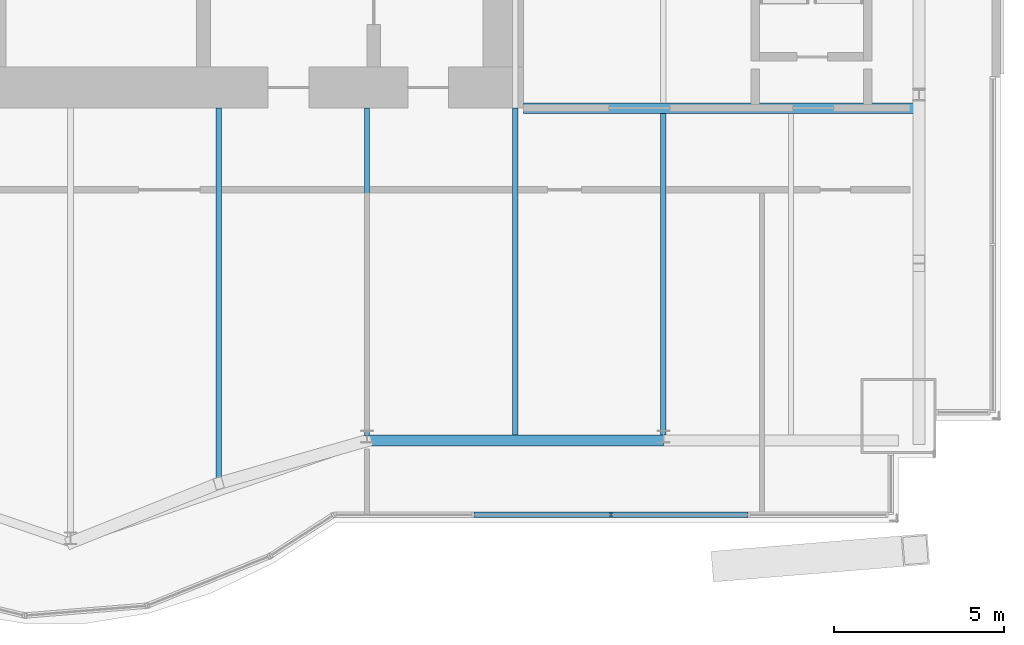
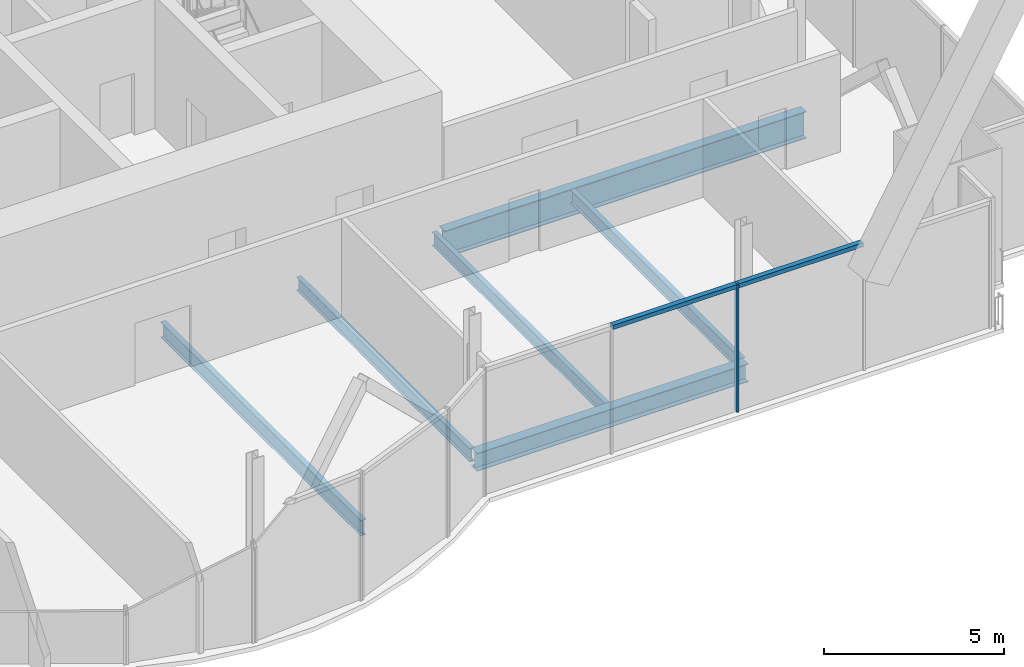
# One storey, part 7 of 17: 6 beams, 3 members, 1 element without a shape of its own.
"""IFC4 building model written with IfcOpenShell, lengths in metres."""

from ifc_helpers import new_model, si_unit, direction, frame, origin, origin_2d, place, context, subcontext, project, spatial, rectangle, i_section, extrude, material, material_profile, profile_set, type_object, element, aggregate, save


model = new_model("IFC4")

# Units and contexts
model_context = context("Model", 3, precision=1e-05, world=origin(), true_north=direction((0.0, 1.0)))
body_context = subcontext(model_context, "Body", "Model", "MODEL_VIEW")
ifc_project = project(units=[si_unit("LENGTHUNIT", "METRE"), si_unit("AREAUNIT", "SQUARE_METRE"), si_unit("VOLUMEUNIT", "CUBIC_METRE"), si_unit("PLANEANGLEUNIT", "RADIAN"), si_unit("MASSUNIT", "GRAM", prefix="KILO")], contexts=[model_context])

# Site, building, storey
site_placement = place(None, origin())
site = spatial("IfcSite", under=ifc_project, at=site_placement, CompositionType="ELEMENT")
building_placement = place(site_placement, origin())
building = spatial("IfcBuilding", under=site, at=building_placement, Name="Bicima Exchange Tower", CompositionType="ELEMENT")
storey_placement = place(building_placement, frame((0.0, 0.0, 333.5)))
storey = spatial("IfcBuildingStorey", under=building, at=storey_placement, Name="L75", CompositionType="ELEMENT", Elevation=333.5)

# Beams
ifc_material_1 = material(Name="Steel ASTM A992 Gr 50", Category="steel")
ifc_material_profile_1 = material_profile(ifc_material_1, i_section(OverallWidth=0.3046875, OverallDepth=0.911865234375, WebThickness=0.015869140625, FlangeThickness=0.02392578125, at=origin_2d()))
ifc_profile_set_1 = profile_set([ifc_material_profile_1], Name="Steel ASTM A992 Gr 50")
beam_type_1 = type_object("IfcBeamType", Name="Core-line girder W36x150", PredefinedType="BEAM", material=ifc_profile_set_1)
beam_1_placement = place(storey_placement, frame((22.0, -13.0, -0.60595703125), z_axis=(1.0, 0.0, 0.0), x_axis=(0.0, 1.0, 0.0)))
element("IfcBeam", 1, at=beam_1_placement, inside=storey, type_object=beam_type_1, Name="Core-line girder", PredefinedType="BEAM", context=body_context, shape_type="SweptSolid", body=[
    extrude(i_section(OverallWidth=0.3046875, OverallDepth=0.911865234375, WebThickness=0.015869140625, FlangeThickness=0.02392578125, at=origin_2d()), origin(), (0.0, 0.0, 1.0), 11.60009765625),
])
ifc_material_profile_2 = material_profile(ifc_material_1, i_section(OverallWidth=0.15283203125, OverallDepth=0.45458984375, WebThickness=0.008056640625, FlangeThickness=0.013427734375, at=origin_2d()))
ifc_profile_set_2 = profile_set([ifc_material_profile_2], Name="Steel ASTM A992 Gr 50")
beam_type_2 = type_object("IfcBeamType", Name="Floor beam W18x40", PredefinedType="JOIST", material=ifc_profile_set_2)
beam_2_placement = place(storey_placement, frame((17.39990234375, -13.0, -0.377197265625), z_axis=(0.0, -1.0, 0.0), x_axis=(1.0, 0.0, 0.0)))
element("IfcBeam", 2, at=beam_2_placement, inside=storey, type_object=beam_type_2, Name="Floor beam", PredefinedType="JOIST", context=body_context, shape_type="SweptSolid", body=[
    extrude(i_section(OverallWidth=0.15283203125, OverallDepth=0.45458984375, WebThickness=0.008056640625, FlangeThickness=0.013427734375, at=origin_2d()), origin(), (0.0, 0.0, 1.0), 9.62841796875),
])
beam_3_placement = place(storey_placement, frame((21.75, -13.0, -0.377197265625), z_axis=(0.0, -1.0, 0.0), x_axis=(1.0, 0.0, 0.0)))
element("IfcBeam", 3, at=beam_3_placement, inside=storey, type_object=beam_type_2, Name="Floor beam", PredefinedType="JOIST", context=body_context, shape_type="SweptSolid", body=[
    extrude(i_section(OverallWidth=0.15283203125, OverallDepth=0.45458984375, WebThickness=0.008056640625, FlangeThickness=0.013427734375, at=origin_2d()), origin(), (0.0, 0.0, 1.0), 9.601318359375),
])
beam_4_placement = place(storey_placement, frame((26.10009765625, -13.15234375, -0.377197265625), z_axis=(0.0, -1.0, 0.0), x_axis=(1.0, 0.0, 0.0)))
element("IfcBeam", 4, at=beam_4_placement, inside=storey, type_object=beam_type_2, Name="Floor beam", PredefinedType="JOIST", context=body_context, shape_type="SweptSolid", body=[
    extrude(i_section(OverallWidth=0.15283203125, OverallDepth=0.45458984375, WebThickness=0.008056640625, FlangeThickness=0.013427734375, at=origin_2d()), origin(), (0.0, 0.0, 1.0), 9.448974609375),
])
ifc_material_profile_3 = material_profile(ifc_material_1, i_section(OverallWidth=0.165771484375, OverallDepth=0.5283203125, WebThickness=0.009765625, FlangeThickness=0.013671875, at=origin_2d()))
ifc_profile_set_3 = profile_set([ifc_material_profile_3], Name="Steel ASTM A992 Gr 50")
beam_type_3 = type_object("IfcBeamType", Name="Floor beam W21x50", PredefinedType="JOIST", material=ifc_profile_set_3)
beam_5_placement = place(storey_placement, frame((13.050048828125, -13.0, -0.414306640625), z_axis=(0.0, -1.0, 0.0), x_axis=(1.0, 0.0, 0.0)))
element("IfcBeam", 5, at=beam_5_placement, inside=storey, type_object=beam_type_3, Name="Floor beam", PredefinedType="JOIST", context=body_context, shape_type="SweptSolid", body=[
    extrude(i_section(OverallWidth=0.165771484375, OverallDepth=0.5283203125, WebThickness=0.009765625, FlangeThickness=0.013671875, at=origin_2d()), origin(), (0.0, 0.0, 1.0), 11.123779296875),
])
ifc_material_profile_4 = material_profile(ifc_material_1, i_section(OverallWidth=0.3251953125, OverallDepth=0.612060546875, WebThickness=0.0126953125, FlangeThickness=0.01904296875, at=origin_2d()))
ifc_profile_set_4 = profile_set([ifc_material_profile_4], Name="Steel ASTM A992 Gr 50")
beam_type_4 = type_object("IfcBeamType", Name="Front girder W24x104", PredefinedType="BEAM", material=ifc_profile_set_4)
beam_6_placement = place(storey_placement, frame((17.39990234375, -22.763916015625, -0.4560546875), z_axis=(1.0, 0.0, 0.0), x_axis=(0.0, 1.0, 0.0)))
element("IfcBeam", 6, at=beam_6_placement, inside=storey, type_object=beam_type_4, Name="Front girder", PredefinedType="BEAM", context=body_context, shape_type="SweptSolid", body=[
    extrude(i_section(OverallWidth=0.3251953125, OverallDepth=0.612060546875, WebThickness=0.0126953125, FlangeThickness=0.01904296875, at=origin_2d()), origin(), (0.0, 0.0, 1.0), 8.7001953125),
])

# Curtain wall, members
ifc_material_2 = material(Name="Anodised bronze aluminium", Category="aluminium")
curtain_wall_type = type_object("IfcCurtainWallType", Name="Front glass wall", PredefinedType="NOTDEFINED", material=ifc_material_2)
curtain_wall_placement = place(storey_placement, origin())
curtain_wall = element("IfcCurtainWall", 7, at=curtain_wall_placement, inside=storey, type_object=curtain_wall_type, Name="Front glass wall L75 run 16", PredefinedType="NOTDEFINED")
ifc_material_profile_5 = material_profile(ifc_material_2, rectangle(XDim=0.159912109375, YDim=0.06005859375, at=origin_2d()))
ifc_profile_set_5 = profile_set([ifc_material_profile_5], Name="Anodised bronze aluminium")
member_type_1 = type_object("IfcMemberType", Name="Front glass wall mullion 60 x 160", PredefinedType="MULLION", material=ifc_profile_set_5)
member_1_placement = place(storey_placement, frame((24.56103515625, -24.93408203125, 0.0), z_axis=(0.0, 0.0, 1.0), x_axis=(0.0, 1.0, 0.0)))
member_1 = element("IfcMember", 8, at=member_1_placement, type_object=member_type_1, Name="Front glass wall mullion 3", PredefinedType="MULLION", context=body_context, shape_type="SweptSolid", body=[
    extrude(rectangle(XDim=0.159912109375, YDim=0.06005859375, at=origin_2d()), origin(), (0.0, 0.0, 1.0), 4.35009765625),
])
ifc_material_profile_6 = material_profile(ifc_material_2, rectangle(XDim=0.159912109375, YDim=0.139892578125, at=origin_2d()))
ifc_profile_set_6 = profile_set([ifc_material_profile_6], Name="Anodised bronze aluminium")
member_type_2 = type_object("IfcMemberType", Name="Front glass wall transom 140 x 160", PredefinedType="USERDEFINED", material=ifc_profile_set_6)
member_2_placement = place(storey_placement, frame((20.54150390625, -24.93408203125, 4.280029296875), z_axis=(1.0, 0.0, 0.0), x_axis=(0.0, 1.0, 0.0)))
member_2 = element("IfcMember", 9, at=member_2_placement, type_object=member_type_2, Name="Front glass wall transom 2.1", ObjectType="TRANSOM", PredefinedType="USERDEFINED", context=body_context, shape_type="SweptSolid", body=[
    extrude(rectangle(XDim=0.159912109375, YDim=0.139892578125, at=origin_2d()), origin(), (0.0, 0.0, 1.0), 3.989501953125),
])
member_3_placement = place(storey_placement, frame((24.591064453125, -24.93408203125, 4.280029296875), z_axis=(1.0, 0.0, 0.0), x_axis=(0.0, 1.0, 0.0)))
member_3 = element("IfcMember", 10, at=member_3_placement, type_object=member_type_2, Name="Front glass wall transom 3.1", ObjectType="TRANSOM", PredefinedType="USERDEFINED", context=body_context, shape_type="SweptSolid", body=[
    extrude(rectangle(XDim=0.159912109375, YDim=0.139892578125, at=origin_2d()), origin(), (0.0, 0.0, 1.0), 3.989501953125),
])
aggregate(curtain_wall, [member_1, member_2, member_3])

save(model, "model.ifc")
